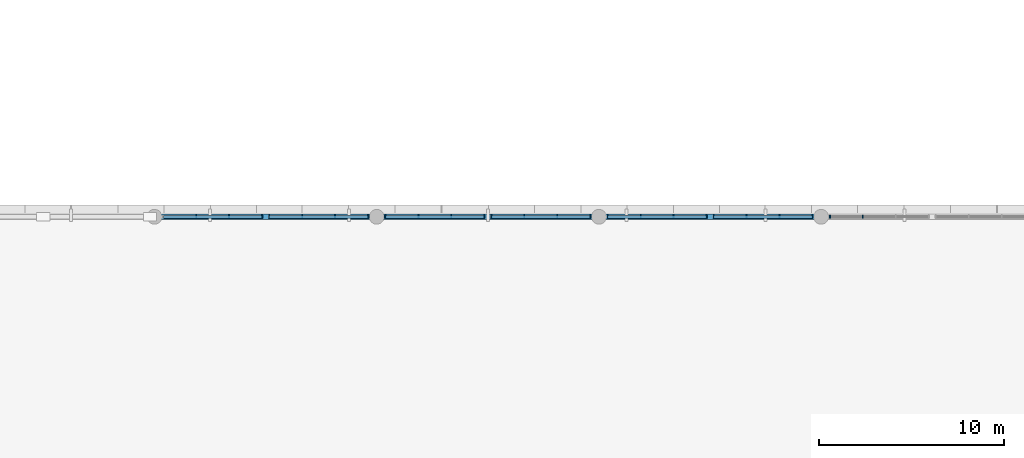
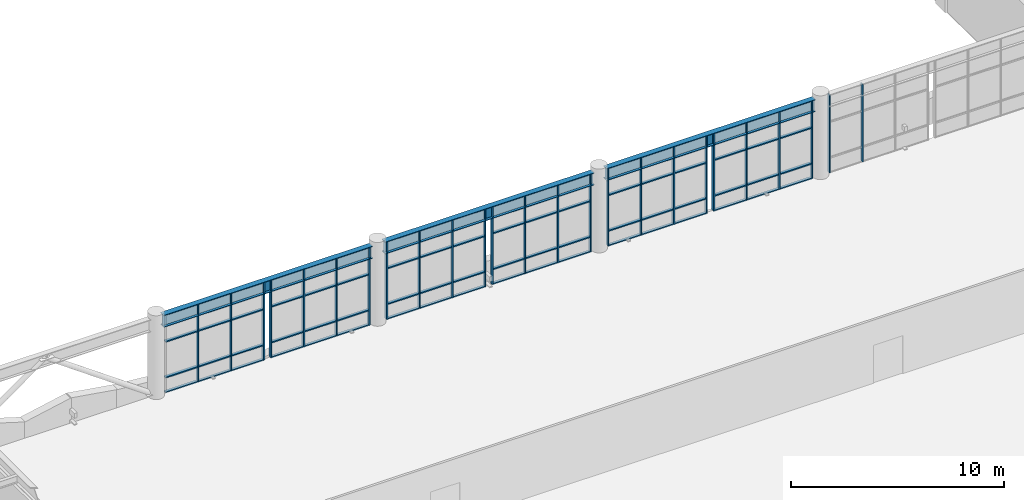
# One storey, part 22 of 72: 49 members, 3 beams, 7 elements without a shape of their own.
"""IFC4 building model written with IfcOpenShell, lengths in metres."""

from ifc_helpers import new_model, si_unit, direction, frame, origin, origin_2d, place, context, subcontext, project, spatial, rectangle, i_section, extrude, material, layer, layer_set, material_profile, profile_set, type_object, element, aggregate, save


model = new_model("IFC4")

# Units and contexts
model_context = context("Model", 3, precision=1e-05, world=origin(), true_north=direction((0.0, 1.0)))
body_context = subcontext(model_context, "Body", "Model", "MODEL_VIEW")
ifc_project = project(units=[si_unit("LENGTHUNIT", "METRE"), si_unit("AREAUNIT", "SQUARE_METRE"), si_unit("VOLUMEUNIT", "CUBIC_METRE"), si_unit("PLANEANGLEUNIT", "RADIAN"), si_unit("MASSUNIT", "GRAM", prefix="KILO")], contexts=[model_context])

# Site, building, storey
site_placement = place(None, origin())
site = spatial("IfcSite", under=ifc_project, at=site_placement, CompositionType="ELEMENT")
building_placement = place(site_placement, origin())
building = spatial("IfcBuilding", under=site, at=building_placement, Name="Keelwater Ferry Terminal", CompositionType="ELEMENT")
storey_placement = place(building_placement, frame((0.0, 0.0, 5.39990234375)))
storey = spatial("IfcBuildingStorey", under=building, at=storey_placement, Name="L01", CompositionType="ELEMENT", Elevation=5.39990234375)

# Curtain wall, members
ifc_material_1 = material(Name="Thermally broken unitised aluminium and triple glass", Category="aluminium")
ifc_layer = layer(ifc_material_1, 0.179931640625)
ifc_layer_set = layer_set([ifc_layer], Name="Thermally broken unitised aluminium and triple glass")
curtain_wall_type = type_object("IfcCurtainWallType", Name="CW-06 Unitised Curtain Wall 5330x4450", PredefinedType="USERDEFINED", material=ifc_layer_set)
curtain_wall_1_placement = place(storey_placement, origin())
curtain_wall_1 = element("IfcCurtainWall", 1, at=curtain_wall_1_placement, inside=storey, type_object=curtain_wall_type, Name="Unitised Curtain Wall CW-L01-031", ObjectType="UNITISED CURTAIN WALL", PredefinedType="USERDEFINED")
ifc_material_2 = material(Name="Aluminium mullion", Category="aluminium")
ifc_material_profile_1 = material_profile(ifc_material_2, rectangle(XDim=0.06494140625, YDim=0.179931640625, at=origin_2d()), Name="CWM-01")
ifc_profile_set_1 = profile_set([ifc_material_profile_1], Name="Aluminium mullion")
member_type_1 = type_object("IfcMemberType", Name="CWM-01 Curtain Mullion 65x180", PredefinedType="MULLION", material=ifc_profile_set_1)
member_1_placement = place(storey_placement, frame((62.251708984375, 90.0, 0.0), z_axis=(0.0, 0.0, 1.0), x_axis=(1.0, 0.0, 0.0)))
member_1 = element("IfcMember", 2, at=member_1_placement, type_object=member_type_1, Name="CW-L01-031 Mullion 2", PredefinedType="MULLION", context=body_context, shape_type="SweptSolid", body=[
    extrude(rectangle(XDim=0.06494140625, YDim=0.179931640625, at=origin_2d()), origin(), (0.0, 0.0, 1.0), 4.4501953125),
])
member_2_placement = place(storey_placement, frame((64.0283203125, 90.0, 0.0), z_axis=(0.0, 0.0, 1.0), x_axis=(1.0, 0.0, 0.0)))
member_2 = element("IfcMember", 3, at=member_2_placement, type_object=member_type_1, Name="CW-L01-031 Mullion 3", PredefinedType="MULLION", context=body_context, shape_type="SweptSolid", body=[
    extrude(rectangle(XDim=0.06494140625, YDim=0.179931640625, at=origin_2d()), origin(), (0.0, 0.0, 1.0), 4.4501953125),
])
member_3_placement = place(storey_placement, frame((65.804931640625, 90.0, 0.0), z_axis=(0.0, 0.0, 1.0), x_axis=(1.0, 0.0, 0.0)))
member_3 = element("IfcMember", 4, at=member_3_placement, type_object=member_type_1, Name="CW-L01-031 Mullion 4", PredefinedType="MULLION", context=body_context, shape_type="SweptSolid", body=[
    extrude(rectangle(XDim=0.06494140625, YDim=0.179931640625, at=origin_2d()), origin(), (0.0, 0.0, 1.0), 4.4501953125),
])

curtain_wall_2_placement = place(storey_placement, origin())
curtain_wall_2 = element("IfcCurtainWall", 5, at=curtain_wall_2_placement, inside=storey, type_object=curtain_wall_type, Name="Unitised Curtain Wall CW-L01-032", ObjectType="UNITISED CURTAIN WALL", PredefinedType="USERDEFINED")
member_4_placement = place(storey_placement, frame((66.195068359375, 90.0, 0.0), z_axis=(0.0, 0.0, 1.0), x_axis=(1.0, 0.0, 0.0)))
member_4 = element("IfcMember", 6, at=member_4_placement, type_object=member_type_1, Name="CW-L01-032 Mullion 1", PredefinedType="MULLION", context=body_context, shape_type="SweptSolid", body=[
    extrude(rectangle(XDim=0.06494140625, YDim=0.179931640625, at=origin_2d()), origin(), (0.0, 0.0, 1.0), 4.4501953125),
])
member_5_placement = place(storey_placement, frame((67.9716796875, 90.0, 0.0), z_axis=(0.0, 0.0, 1.0), x_axis=(1.0, 0.0, 0.0)))
member_5 = element("IfcMember", 7, at=member_5_placement, type_object=member_type_1, Name="CW-L01-032 Mullion 2", PredefinedType="MULLION", context=body_context, shape_type="SweptSolid", body=[
    extrude(rectangle(XDim=0.06494140625, YDim=0.179931640625, at=origin_2d()), origin(), (0.0, 0.0, 1.0), 4.4501953125),
])
member_6_placement = place(storey_placement, frame((69.748291015625, 90.0, 0.0), z_axis=(0.0, 0.0, 1.0), x_axis=(1.0, 0.0, 0.0)))
member_6 = element("IfcMember", 8, at=member_6_placement, type_object=member_type_1, Name="CW-L01-032 Mullion 3", PredefinedType="MULLION", context=body_context, shape_type="SweptSolid", body=[
    extrude(rectangle(XDim=0.06494140625, YDim=0.179931640625, at=origin_2d()), origin(), (0.0, 0.0, 1.0), 4.4501953125),
])
member_7_placement = place(storey_placement, frame((71.52490234375, 90.0, 0.0), z_axis=(0.0, 0.0, 1.0), x_axis=(1.0, 0.0, 0.0)))
member_7 = element("IfcMember", 9, at=member_7_placement, type_object=member_type_1, Name="CW-L01-032 Mullion 4", PredefinedType="MULLION", context=body_context, shape_type="SweptSolid", body=[
    extrude(rectangle(XDim=0.06494140625, YDim=0.179931640625, at=origin_2d()), origin(), (0.0, 0.0, 1.0), 4.4501953125),
])

curtain_wall_3_placement = place(storey_placement, origin())
curtain_wall_3 = element("IfcCurtainWall", 10, at=curtain_wall_3_placement, inside=storey, type_object=curtain_wall_type, Name="Unitised Curtain Wall CW-L01-033", ObjectType="UNITISED CURTAIN WALL", PredefinedType="USERDEFINED")
member_8_placement = place(storey_placement, frame((72.47509765625, 90.0, 0.0), z_axis=(0.0, 0.0, 1.0), x_axis=(1.0, 0.0, 0.0)))
member_8 = element("IfcMember", 11, at=member_8_placement, type_object=member_type_1, Name="CW-L01-033 Mullion 1", PredefinedType="MULLION", context=body_context, shape_type="SweptSolid", body=[
    extrude(rectangle(XDim=0.06494140625, YDim=0.179931640625, at=origin_2d()), origin(), (0.0, 0.0, 1.0), 4.4501953125),
])
member_9_placement = place(storey_placement, frame((74.251708984375, 90.0, 0.0), z_axis=(0.0, 0.0, 1.0), x_axis=(1.0, 0.0, 0.0)))
member_9 = element("IfcMember", 12, at=member_9_placement, type_object=member_type_1, Name="CW-L01-033 Mullion 2", PredefinedType="MULLION", context=body_context, shape_type="SweptSolid", body=[
    extrude(rectangle(XDim=0.06494140625, YDim=0.179931640625, at=origin_2d()), origin(), (0.0, 0.0, 1.0), 4.4501953125),
])
member_10_placement = place(storey_placement, frame((76.0283203125, 90.0, 0.0), z_axis=(0.0, 0.0, 1.0), x_axis=(1.0, 0.0, 0.0)))
member_10 = element("IfcMember", 13, at=member_10_placement, type_object=member_type_1, Name="CW-L01-033 Mullion 3", PredefinedType="MULLION", context=body_context, shape_type="SweptSolid", body=[
    extrude(rectangle(XDim=0.06494140625, YDim=0.179931640625, at=origin_2d()), origin(), (0.0, 0.0, 1.0), 4.4501953125),
])
member_11_placement = place(storey_placement, frame((77.804931640625, 90.0, 0.0), z_axis=(0.0, 0.0, 1.0), x_axis=(1.0, 0.0, 0.0)))
member_11 = element("IfcMember", 14, at=member_11_placement, type_object=member_type_1, Name="CW-L01-033 Mullion 4", PredefinedType="MULLION", context=body_context, shape_type="SweptSolid", body=[
    extrude(rectangle(XDim=0.06494140625, YDim=0.179931640625, at=origin_2d()), origin(), (0.0, 0.0, 1.0), 4.4501953125),
])

curtain_wall_4_placement = place(storey_placement, origin())
curtain_wall_4 = element("IfcCurtainWall", 15, at=curtain_wall_4_placement, inside=storey, type_object=curtain_wall_type, Name="Unitised Curtain Wall CW-L01-034", ObjectType="UNITISED CURTAIN WALL", PredefinedType="USERDEFINED")
member_12_placement = place(storey_placement, frame((78.195068359375, 90.0, 0.0), z_axis=(0.0, 0.0, 1.0), x_axis=(1.0, 0.0, 0.0)))
member_12 = element("IfcMember", 16, at=member_12_placement, type_object=member_type_1, Name="CW-L01-034 Mullion 1", PredefinedType="MULLION", context=body_context, shape_type="SweptSolid", body=[
    extrude(rectangle(XDim=0.06494140625, YDim=0.179931640625, at=origin_2d()), origin(), (0.0, 0.0, 1.0), 4.4501953125),
])
member_13_placement = place(storey_placement, frame((79.9716796875, 90.0, 0.0), z_axis=(0.0, 0.0, 1.0), x_axis=(1.0, 0.0, 0.0)))
member_13 = element("IfcMember", 17, at=member_13_placement, type_object=member_type_1, Name="CW-L01-034 Mullion 2", PredefinedType="MULLION", context=body_context, shape_type="SweptSolid", body=[
    extrude(rectangle(XDim=0.06494140625, YDim=0.179931640625, at=origin_2d()), origin(), (0.0, 0.0, 1.0), 4.4501953125),
])
member_14_placement = place(storey_placement, frame((81.748291015625, 90.0, 0.0), z_axis=(0.0, 0.0, 1.0), x_axis=(1.0, 0.0, 0.0)))
member_14 = element("IfcMember", 18, at=member_14_placement, type_object=member_type_1, Name="CW-L01-034 Mullion 3", PredefinedType="MULLION", context=body_context, shape_type="SweptSolid", body=[
    extrude(rectangle(XDim=0.06494140625, YDim=0.179931640625, at=origin_2d()), origin(), (0.0, 0.0, 1.0), 4.4501953125),
])
member_15_placement = place(storey_placement, frame((83.52490234375, 90.0, 0.0), z_axis=(0.0, 0.0, 1.0), x_axis=(1.0, 0.0, 0.0)))
member_15 = element("IfcMember", 19, at=member_15_placement, type_object=member_type_1, Name="CW-L01-034 Mullion 4", PredefinedType="MULLION", context=body_context, shape_type="SweptSolid", body=[
    extrude(rectangle(XDim=0.06494140625, YDim=0.179931640625, at=origin_2d()), origin(), (0.0, 0.0, 1.0), 4.4501953125),
])

curtain_wall_5_placement = place(storey_placement, origin())
curtain_wall_5 = element("IfcCurtainWall", 20, at=curtain_wall_5_placement, inside=storey, type_object=curtain_wall_type, Name="Unitised Curtain Wall CW-L01-035", ObjectType="UNITISED CURTAIN WALL", PredefinedType="USERDEFINED")
member_16_placement = place(storey_placement, frame((84.47509765625, 90.0, 0.0), z_axis=(0.0, 0.0, 1.0), x_axis=(1.0, 0.0, 0.0)))
member_16 = element("IfcMember", 21, at=member_16_placement, type_object=member_type_1, Name="CW-L01-035 Mullion 1", PredefinedType="MULLION", context=body_context, shape_type="SweptSolid", body=[
    extrude(rectangle(XDim=0.06494140625, YDim=0.179931640625, at=origin_2d()), origin(), (0.0, 0.0, 1.0), 4.4501953125),
])
member_17_placement = place(storey_placement, frame((86.251708984375, 90.0, 0.0), z_axis=(0.0, 0.0, 1.0), x_axis=(1.0, 0.0, 0.0)))
member_17 = element("IfcMember", 22, at=member_17_placement, type_object=member_type_1, Name="CW-L01-035 Mullion 2", PredefinedType="MULLION", context=body_context, shape_type="SweptSolid", body=[
    extrude(rectangle(XDim=0.06494140625, YDim=0.179931640625, at=origin_2d()), origin(), (0.0, 0.0, 1.0), 4.4501953125),
])
member_18_placement = place(storey_placement, frame((88.0283203125, 90.0, 0.0), z_axis=(0.0, 0.0, 1.0), x_axis=(1.0, 0.0, 0.0)))
member_18 = element("IfcMember", 23, at=member_18_placement, type_object=member_type_1, Name="CW-L01-035 Mullion 3", PredefinedType="MULLION", context=body_context, shape_type="SweptSolid", body=[
    extrude(rectangle(XDim=0.06494140625, YDim=0.179931640625, at=origin_2d()), origin(), (0.0, 0.0, 1.0), 4.4501953125),
])
member_19_placement = place(storey_placement, frame((89.804931640625, 90.0, 0.0), z_axis=(0.0, 0.0, 1.0), x_axis=(1.0, 0.0, 0.0)))
member_19 = element("IfcMember", 24, at=member_19_placement, type_object=member_type_1, Name="CW-L01-035 Mullion 4", PredefinedType="MULLION", context=body_context, shape_type="SweptSolid", body=[
    extrude(rectangle(XDim=0.06494140625, YDim=0.179931640625, at=origin_2d()), origin(), (0.0, 0.0, 1.0), 4.4501953125),
])

curtain_wall_6_placement = place(storey_placement, origin())
curtain_wall_6 = element("IfcCurtainWall", 25, at=curtain_wall_6_placement, inside=storey, type_object=curtain_wall_type, Name="Unitised Curtain Wall CW-L01-036", ObjectType="UNITISED CURTAIN WALL", PredefinedType="USERDEFINED")
member_20_placement = place(storey_placement, frame((90.195068359375, 90.0, 0.0), z_axis=(0.0, 0.0, 1.0), x_axis=(1.0, 0.0, 0.0)))
member_20 = element("IfcMember", 26, at=member_20_placement, type_object=member_type_1, Name="CW-L01-036 Mullion 1", PredefinedType="MULLION", context=body_context, shape_type="SweptSolid", body=[
    extrude(rectangle(XDim=0.06494140625, YDim=0.179931640625, at=origin_2d()), origin(), (0.0, 0.0, 1.0), 4.4501953125),
])
member_21_placement = place(storey_placement, frame((91.9716796875, 90.0, 0.0), z_axis=(0.0, 0.0, 1.0), x_axis=(1.0, 0.0, 0.0)))
member_21 = element("IfcMember", 27, at=member_21_placement, type_object=member_type_1, Name="CW-L01-036 Mullion 2", PredefinedType="MULLION", context=body_context, shape_type="SweptSolid", body=[
    extrude(rectangle(XDim=0.06494140625, YDim=0.179931640625, at=origin_2d()), origin(), (0.0, 0.0, 1.0), 4.4501953125),
])
member_22_placement = place(storey_placement, frame((93.748291015625, 90.0, 0.0), z_axis=(0.0, 0.0, 1.0), x_axis=(1.0, 0.0, 0.0)))
member_22 = element("IfcMember", 28, at=member_22_placement, type_object=member_type_1, Name="CW-L01-036 Mullion 3", PredefinedType="MULLION", context=body_context, shape_type="SweptSolid", body=[
    extrude(rectangle(XDim=0.06494140625, YDim=0.179931640625, at=origin_2d()), origin(), (0.0, 0.0, 1.0), 4.4501953125),
])
member_23_placement = place(storey_placement, frame((95.52490234375, 90.0, 0.0), z_axis=(0.0, 0.0, 1.0), x_axis=(1.0, 0.0, 0.0)))
member_23 = element("IfcMember", 29, at=member_23_placement, type_object=member_type_1, Name="CW-L01-036 Mullion 4", PredefinedType="MULLION", context=body_context, shape_type="SweptSolid", body=[
    extrude(rectangle(XDim=0.06494140625, YDim=0.179931640625, at=origin_2d()), origin(), (0.0, 0.0, 1.0), 4.4501953125),
])

curtain_wall_7_placement = place(storey_placement, origin())
curtain_wall_7 = element("IfcCurtainWall", 30, at=curtain_wall_7_placement, inside=storey, type_object=curtain_wall_type, Name="Unitised Curtain Wall CW-L01-037", ObjectType="UNITISED CURTAIN WALL", PredefinedType="USERDEFINED")
member_24_placement = place(storey_placement, frame((96.47509765625, 90.0, 0.0), z_axis=(0.0, 0.0, 1.0), x_axis=(1.0, 0.0, 0.0)))
member_24 = element("IfcMember", 31, at=member_24_placement, type_object=member_type_1, Name="CW-L01-037 Mullion 1", PredefinedType="MULLION", context=body_context, shape_type="SweptSolid", body=[
    extrude(rectangle(XDim=0.06494140625, YDim=0.179931640625, at=origin_2d()), origin(), (0.0, 0.0, 1.0), 4.4501953125),
])
member_25_placement = place(storey_placement, frame((98.251708984375, 90.0, 0.0), z_axis=(0.0, 0.0, 1.0), x_axis=(1.0, 0.0, 0.0)))
member_25 = element("IfcMember", 32, at=member_25_placement, type_object=member_type_1, Name="CW-L01-037 Mullion 2", PredefinedType="MULLION", context=body_context, shape_type="SweptSolid", body=[
    extrude(rectangle(XDim=0.06494140625, YDim=0.179931640625, at=origin_2d()), origin(), (0.0, 0.0, 1.0), 4.4501953125),
])
aggregate(curtain_wall_7, [member_24, member_25])

# Member
ifc_material_3 = material(Name="Aluminium mullion", Category="aluminium")
ifc_material_profile_2 = material_profile(ifc_material_3, rectangle(XDim=0.159912109375, YDim=0.06494140625, at=origin_2d()), Name="CWT-01")
ifc_profile_set_2 = profile_set([ifc_material_profile_2], Name="Aluminium mullion")
member_type_2 = type_object("IfcMemberType", Name="CWT-01 Curtain Transom 65x160", PredefinedType="USERDEFINED", material=ifc_profile_set_2)
member_26_placement = place(storey_placement, frame((60.47509765625, 90.0, 0.0), z_axis=(1.0, 0.0, 0.0), x_axis=(0.0, 1.0, 0.0)))
member_26 = element("IfcMember", 33, at=member_26_placement, type_object=member_type_2, Name="CW-L01-031 Transom 1", ObjectType="TRANSOM", PredefinedType="USERDEFINED", context=body_context, shape_type="SweptSolid", body=[
    extrude(rectangle(XDim=0.159912109375, YDim=0.06494140625, at=origin_2d()), origin(), (0.0, 0.0, 1.0), 5.329833984375),
])

member_27_placement = place(storey_placement, frame((60.47509765625, 90.0, 0.85009765625), z_axis=(1.0, 0.0, 0.0), x_axis=(0.0, 1.0, 0.0)))
member_27 = element("IfcMember", 34, at=member_27_placement, type_object=member_type_2, Name="CW-L01-031 Transom 2", ObjectType="TRANSOM", PredefinedType="USERDEFINED", context=body_context, shape_type="SweptSolid", body=[
    extrude(rectangle(XDim=0.159912109375, YDim=0.06494140625, at=origin_2d()), origin(), (0.0, 0.0, 1.0), 5.329833984375),
])

member_28_placement = place(storey_placement, frame((60.47509765625, 90.0, 2.900146484375), z_axis=(1.0, 0.0, 0.0), x_axis=(0.0, 1.0, 0.0)))
member_28 = element("IfcMember", 35, at=member_28_placement, type_object=member_type_2, Name="CW-L01-031 Transom 3", ObjectType="TRANSOM", PredefinedType="USERDEFINED", context=body_context, shape_type="SweptSolid", body=[
    extrude(rectangle(XDim=0.159912109375, YDim=0.06494140625, at=origin_2d()), origin(), (0.0, 0.0, 1.0), 5.329833984375),
])

member_29_placement = place(storey_placement, frame((60.47509765625, 90.0, 4.4501953125), z_axis=(1.0, 0.0, 0.0), x_axis=(0.0, 1.0, 0.0)))
member_29 = element("IfcMember", 36, at=member_29_placement, type_object=member_type_2, Name="CW-L01-031 Transom 4", ObjectType="TRANSOM", PredefinedType="USERDEFINED", context=body_context, shape_type="SweptSolid", body=[
    extrude(rectangle(XDim=0.159912109375, YDim=0.06494140625, at=origin_2d()), origin(), (0.0, 0.0, 1.0), 5.329833984375),
])

aggregate(curtain_wall_1, [member_1, member_2, member_3, member_26, member_27, member_28, member_29])

member_30_placement = place(storey_placement, frame((66.195068359375, 90.0, 0.0), z_axis=(1.0, 0.0, 0.0), x_axis=(0.0, 1.0, 0.0)))
member_30 = element("IfcMember", 37, at=member_30_placement, type_object=member_type_2, Name="CW-L01-032 Transom 1", ObjectType="TRANSOM", PredefinedType="USERDEFINED", context=body_context, shape_type="SweptSolid", body=[
    extrude(rectangle(XDim=0.159912109375, YDim=0.06494140625, at=origin_2d()), origin(), (0.0, 0.0, 1.0), 5.329833984375),
])

member_31_placement = place(storey_placement, frame((66.195068359375, 90.0, 0.85009765625), z_axis=(1.0, 0.0, 0.0), x_axis=(0.0, 1.0, 0.0)))
member_31 = element("IfcMember", 38, at=member_31_placement, type_object=member_type_2, Name="CW-L01-032 Transom 2", ObjectType="TRANSOM", PredefinedType="USERDEFINED", context=body_context, shape_type="SweptSolid", body=[
    extrude(rectangle(XDim=0.159912109375, YDim=0.06494140625, at=origin_2d()), origin(), (0.0, 0.0, 1.0), 5.329833984375),
])

member_32_placement = place(storey_placement, frame((66.195068359375, 90.0, 2.900146484375), z_axis=(1.0, 0.0, 0.0), x_axis=(0.0, 1.0, 0.0)))
member_32 = element("IfcMember", 39, at=member_32_placement, type_object=member_type_2, Name="CW-L01-032 Transom 3", ObjectType="TRANSOM", PredefinedType="USERDEFINED", context=body_context, shape_type="SweptSolid", body=[
    extrude(rectangle(XDim=0.159912109375, YDim=0.06494140625, at=origin_2d()), origin(), (0.0, 0.0, 1.0), 5.329833984375),
])

member_33_placement = place(storey_placement, frame((66.195068359375, 90.0, 4.4501953125), z_axis=(1.0, 0.0, 0.0), x_axis=(0.0, 1.0, 0.0)))
member_33 = element("IfcMember", 40, at=member_33_placement, type_object=member_type_2, Name="CW-L01-032 Transom 4", ObjectType="TRANSOM", PredefinedType="USERDEFINED", context=body_context, shape_type="SweptSolid", body=[
    extrude(rectangle(XDim=0.159912109375, YDim=0.06494140625, at=origin_2d()), origin(), (0.0, 0.0, 1.0), 5.329833984375),
])

aggregate(curtain_wall_2, [member_4, member_5, member_6, member_7, member_30, member_31, member_32, member_33])

member_34_placement = place(storey_placement, frame((72.47509765625, 90.0, 0.0), z_axis=(1.0, 0.0, 0.0), x_axis=(0.0, 1.0, 0.0)))
member_34 = element("IfcMember", 41, at=member_34_placement, type_object=member_type_2, Name="CW-L01-033 Transom 1", ObjectType="TRANSOM", PredefinedType="USERDEFINED", context=body_context, shape_type="SweptSolid", body=[
    extrude(rectangle(XDim=0.159912109375, YDim=0.06494140625, at=origin_2d()), origin(), (0.0, 0.0, 1.0), 5.329833984375),
])

member_35_placement = place(storey_placement, frame((72.47509765625, 90.0, 0.85009765625), z_axis=(1.0, 0.0, 0.0), x_axis=(0.0, 1.0, 0.0)))
member_35 = element("IfcMember", 42, at=member_35_placement, type_object=member_type_2, Name="CW-L01-033 Transom 2", ObjectType="TRANSOM", PredefinedType="USERDEFINED", context=body_context, shape_type="SweptSolid", body=[
    extrude(rectangle(XDim=0.159912109375, YDim=0.06494140625, at=origin_2d()), origin(), (0.0, 0.0, 1.0), 5.329833984375),
])

member_36_placement = place(storey_placement, frame((72.47509765625, 90.0, 2.900146484375), z_axis=(1.0, 0.0, 0.0), x_axis=(0.0, 1.0, 0.0)))
member_36 = element("IfcMember", 43, at=member_36_placement, type_object=member_type_2, Name="CW-L01-033 Transom 3", ObjectType="TRANSOM", PredefinedType="USERDEFINED", context=body_context, shape_type="SweptSolid", body=[
    extrude(rectangle(XDim=0.159912109375, YDim=0.06494140625, at=origin_2d()), origin(), (0.0, 0.0, 1.0), 5.329833984375),
])

member_37_placement = place(storey_placement, frame((72.47509765625, 90.0, 4.4501953125), z_axis=(1.0, 0.0, 0.0), x_axis=(0.0, 1.0, 0.0)))
member_37 = element("IfcMember", 44, at=member_37_placement, type_object=member_type_2, Name="CW-L01-033 Transom 4", ObjectType="TRANSOM", PredefinedType="USERDEFINED", context=body_context, shape_type="SweptSolid", body=[
    extrude(rectangle(XDim=0.159912109375, YDim=0.06494140625, at=origin_2d()), origin(), (0.0, 0.0, 1.0), 5.329833984375),
])

aggregate(curtain_wall_3, [member_8, member_9, member_10, member_11, member_34, member_35, member_36, member_37])

member_38_placement = place(storey_placement, frame((78.195068359375, 90.0, 0.0), z_axis=(1.0, 0.0, 0.0), x_axis=(0.0, 1.0, 0.0)))
member_38 = element("IfcMember", 45, at=member_38_placement, type_object=member_type_2, Name="CW-L01-034 Transom 1", ObjectType="TRANSOM", PredefinedType="USERDEFINED", context=body_context, shape_type="SweptSolid", body=[
    extrude(rectangle(XDim=0.159912109375, YDim=0.06494140625, at=origin_2d()), origin(), (0.0, 0.0, 1.0), 5.329833984375),
])

member_39_placement = place(storey_placement, frame((78.195068359375, 90.0, 0.85009765625), z_axis=(1.0, 0.0, 0.0), x_axis=(0.0, 1.0, 0.0)))
member_39 = element("IfcMember", 46, at=member_39_placement, type_object=member_type_2, Name="CW-L01-034 Transom 2", ObjectType="TRANSOM", PredefinedType="USERDEFINED", context=body_context, shape_type="SweptSolid", body=[
    extrude(rectangle(XDim=0.159912109375, YDim=0.06494140625, at=origin_2d()), origin(), (0.0, 0.0, 1.0), 5.329833984375),
])

member_40_placement = place(storey_placement, frame((78.195068359375, 90.0, 2.900146484375), z_axis=(1.0, 0.0, 0.0), x_axis=(0.0, 1.0, 0.0)))
member_40 = element("IfcMember", 47, at=member_40_placement, type_object=member_type_2, Name="CW-L01-034 Transom 3", ObjectType="TRANSOM", PredefinedType="USERDEFINED", context=body_context, shape_type="SweptSolid", body=[
    extrude(rectangle(XDim=0.159912109375, YDim=0.06494140625, at=origin_2d()), origin(), (0.0, 0.0, 1.0), 5.329833984375),
])

member_41_placement = place(storey_placement, frame((78.195068359375, 90.0, 4.4501953125), z_axis=(1.0, 0.0, 0.0), x_axis=(0.0, 1.0, 0.0)))
member_41 = element("IfcMember", 48, at=member_41_placement, type_object=member_type_2, Name="CW-L01-034 Transom 4", ObjectType="TRANSOM", PredefinedType="USERDEFINED", context=body_context, shape_type="SweptSolid", body=[
    extrude(rectangle(XDim=0.159912109375, YDim=0.06494140625, at=origin_2d()), origin(), (0.0, 0.0, 1.0), 5.329833984375),
])

aggregate(curtain_wall_4, [member_12, member_13, member_14, member_15, member_38, member_39, member_40, member_41])

member_42_placement = place(storey_placement, frame((84.47509765625, 90.0, 0.0), z_axis=(1.0, 0.0, 0.0), x_axis=(0.0, 1.0, 0.0)))
member_42 = element("IfcMember", 49, at=member_42_placement, type_object=member_type_2, Name="CW-L01-035 Transom 1", ObjectType="TRANSOM", PredefinedType="USERDEFINED", context=body_context, shape_type="SweptSolid", body=[
    extrude(rectangle(XDim=0.159912109375, YDim=0.06494140625, at=origin_2d()), origin(), (0.0, 0.0, 1.0), 5.329833984375),
])

member_43_placement = place(storey_placement, frame((84.47509765625, 90.0, 0.85009765625), z_axis=(1.0, 0.0, 0.0), x_axis=(0.0, 1.0, 0.0)))
member_43 = element("IfcMember", 50, at=member_43_placement, type_object=member_type_2, Name="CW-L01-035 Transom 2", ObjectType="TRANSOM", PredefinedType="USERDEFINED", context=body_context, shape_type="SweptSolid", body=[
    extrude(rectangle(XDim=0.159912109375, YDim=0.06494140625, at=origin_2d()), origin(), (0.0, 0.0, 1.0), 5.329833984375),
])

member_44_placement = place(storey_placement, frame((84.47509765625, 90.0, 2.900146484375), z_axis=(1.0, 0.0, 0.0), x_axis=(0.0, 1.0, 0.0)))
member_44 = element("IfcMember", 51, at=member_44_placement, type_object=member_type_2, Name="CW-L01-035 Transom 3", ObjectType="TRANSOM", PredefinedType="USERDEFINED", context=body_context, shape_type="SweptSolid", body=[
    extrude(rectangle(XDim=0.159912109375, YDim=0.06494140625, at=origin_2d()), origin(), (0.0, 0.0, 1.0), 5.329833984375),
])

member_45_placement = place(storey_placement, frame((84.47509765625, 90.0, 4.4501953125), z_axis=(1.0, 0.0, 0.0), x_axis=(0.0, 1.0, 0.0)))
member_45 = element("IfcMember", 52, at=member_45_placement, type_object=member_type_2, Name="CW-L01-035 Transom 4", ObjectType="TRANSOM", PredefinedType="USERDEFINED", context=body_context, shape_type="SweptSolid", body=[
    extrude(rectangle(XDim=0.159912109375, YDim=0.06494140625, at=origin_2d()), origin(), (0.0, 0.0, 1.0), 5.329833984375),
])

aggregate(curtain_wall_5, [member_16, member_17, member_18, member_19, member_42, member_43, member_44, member_45])

member_46_placement = place(storey_placement, frame((90.195068359375, 90.0, 0.0), z_axis=(1.0, 0.0, 0.0), x_axis=(0.0, 1.0, 0.0)))
member_46 = element("IfcMember", 53, at=member_46_placement, type_object=member_type_2, Name="CW-L01-036 Transom 1", ObjectType="TRANSOM", PredefinedType="USERDEFINED", context=body_context, shape_type="SweptSolid", body=[
    extrude(rectangle(XDim=0.159912109375, YDim=0.06494140625, at=origin_2d()), origin(), (0.0, 0.0, 1.0), 5.329833984375),
])

member_47_placement = place(storey_placement, frame((90.195068359375, 90.0, 0.85009765625), z_axis=(1.0, 0.0, 0.0), x_axis=(0.0, 1.0, 0.0)))
member_47 = element("IfcMember", 54, at=member_47_placement, type_object=member_type_2, Name="CW-L01-036 Transom 2", ObjectType="TRANSOM", PredefinedType="USERDEFINED", context=body_context, shape_type="SweptSolid", body=[
    extrude(rectangle(XDim=0.159912109375, YDim=0.06494140625, at=origin_2d()), origin(), (0.0, 0.0, 1.0), 5.329833984375),
])

member_48_placement = place(storey_placement, frame((90.195068359375, 90.0, 2.900146484375), z_axis=(1.0, 0.0, 0.0), x_axis=(0.0, 1.0, 0.0)))
member_48 = element("IfcMember", 55, at=member_48_placement, type_object=member_type_2, Name="CW-L01-036 Transom 3", ObjectType="TRANSOM", PredefinedType="USERDEFINED", context=body_context, shape_type="SweptSolid", body=[
    extrude(rectangle(XDim=0.159912109375, YDim=0.06494140625, at=origin_2d()), origin(), (0.0, 0.0, 1.0), 5.329833984375),
])

member_49_placement = place(storey_placement, frame((90.195068359375, 90.0, 4.4501953125), z_axis=(1.0, 0.0, 0.0), x_axis=(0.0, 1.0, 0.0)))
member_49 = element("IfcMember", 56, at=member_49_placement, type_object=member_type_2, Name="CW-L01-036 Transom 4", ObjectType="TRANSOM", PredefinedType="USERDEFINED", context=body_context, shape_type="SweptSolid", body=[
    extrude(rectangle(XDim=0.159912109375, YDim=0.06494140625, at=origin_2d()), origin(), (0.0, 0.0, 1.0), 5.329833984375),
])

aggregate(curtain_wall_6, [member_20, member_21, member_22, member_23, member_46, member_47, member_48, member_49])

# Beams
ifc_material_4 = material(Name="Steel S355", Category="steel")
ifc_material_profile_3 = material_profile(ifc_material_4, i_section(OverallWidth=0.300048828125, OverallDepth=0.699951171875, WebThickness=0.01708984375, FlangeThickness=0.031982421875, at=origin_2d()), Name="HEB 700")
ifc_profile_set_3 = profile_set([ifc_material_profile_3], Name="Steel S355")
beam_type = type_object("IfcBeamType", Name="G2E HEB 700", PredefinedType="BEAM", material=ifc_profile_set_3)
for number, where, z_axis, x_axis, name in (
    (57, (60.327880859375, 90.0, 4.170166015625), (1.0, 0.0, 0.0), (0.0, 1.0, 0.0), "Beam BM-L01-0672"),
    (58, (72.327880859375, 90.0, 4.170166015625), (1.0, 0.0, 0.0), (0.0, 1.0, 0.0), "Beam BM-L01-0673"),
    (59, (84.327880859375, 90.0, 4.170166015625), (1.0, 0.0, 0.0), (0.0, 1.0, 0.0), "Beam BM-L01-0674"),
):
    element("IfcBeam", number, at=place(storey_placement, frame(where, z_axis=z_axis, x_axis=x_axis)), inside=storey, type_object=beam_type, Name=name, PredefinedType="BEAM", context=body_context, shape_type="SweptSolid", body=[
        extrude(i_section(OverallWidth=0.300048828125, OverallDepth=0.699951171875, WebThickness=0.01708984375, FlangeThickness=0.031982421875, at=origin_2d()), origin(), (0.0, 0.0, 1.0), 11.34423828125),
    ])

save(model, "model.ifc")
